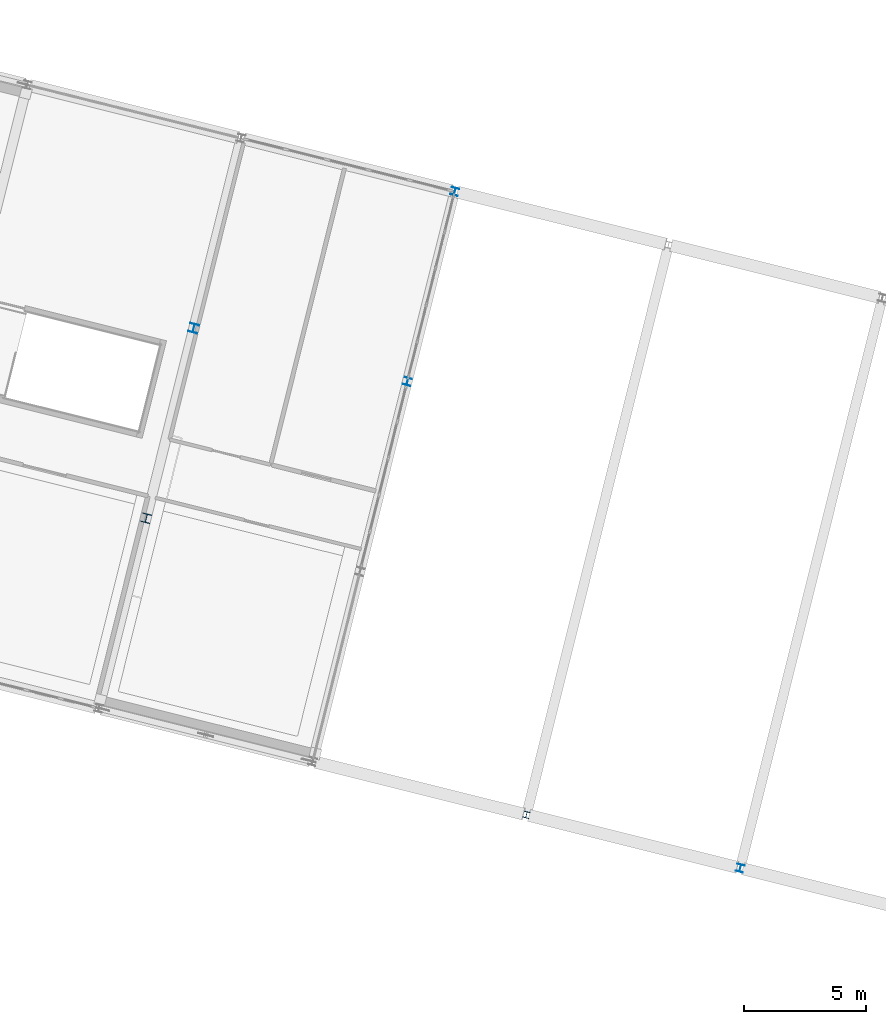
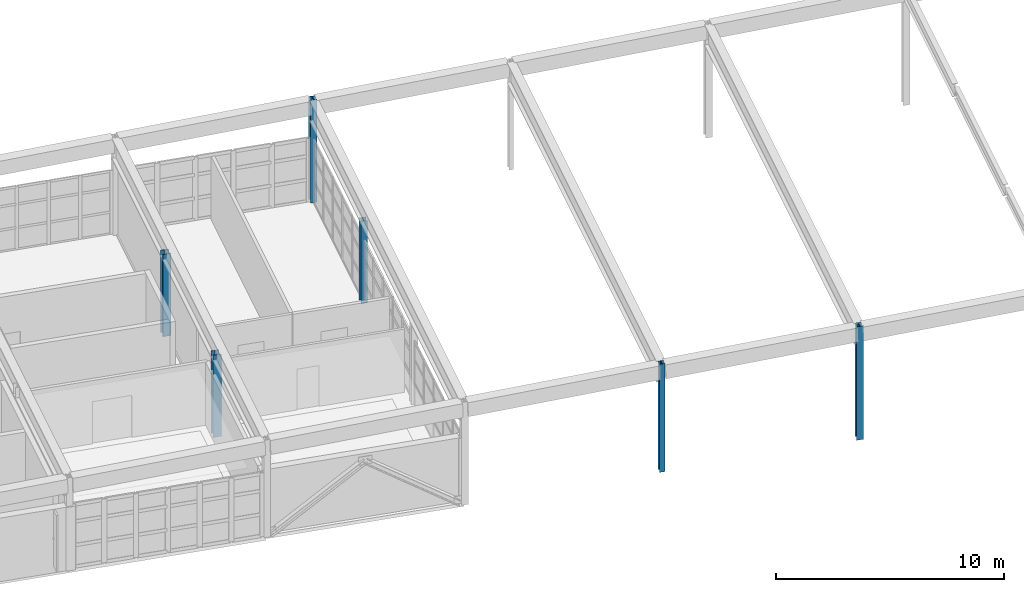
# One storey, part 4 of 27: 6 columns.
"""IFC4 building model written with IfcOpenShell, lengths in metres."""

from ifc_helpers import new_model, si_unit, direction, frame, origin, origin_2d, place, context, subcontext, project, spatial, i_section, extrude, material, material_profile, profile_set, type_object, element, save


model = new_model("IFC4")

# Units and contexts
model_context = context("Model", 3, precision=1e-05, world=origin(), true_north=direction((0.0, 1.0)))
body_context = subcontext(model_context, "Body", "Model", "MODEL_VIEW")
ifc_project = project(units=[si_unit("LENGTHUNIT", "METRE"), si_unit("AREAUNIT", "SQUARE_METRE"), si_unit("VOLUMEUNIT", "CUBIC_METRE"), si_unit("PLANEANGLEUNIT", "RADIAN"), si_unit("MASSUNIT", "GRAM", prefix="KILO")], contexts=[model_context])

# Site, building, storey
site_placement = place(None, origin())
site = spatial("IfcSite", under=ifc_project, at=site_placement, CompositionType="ELEMENT")
building_placement = place(site_placement, origin())
building = spatial("IfcBuilding", under=site, at=building_placement, Name="Vireo Bluff Cable Station", CompositionType="ELEMENT")
storey_placement = place(building_placement, frame((0.0, 0.0, 19.199951171875)))
storey = spatial("IfcBuildingStorey", under=building, at=storey_placement, Name="L04", CompositionType="ELEMENT", Elevation=19.199951171875)

# Columns
ifc_material = material(Name="Steel ASTM A992 Gr. 50", Category="steel")
ifc_material_profile_1 = material_profile(ifc_material, i_section(OverallWidth=0.37109375, OverallDepth=0.363037109375, WebThickness=0.01318359375, FlangeThickness=0.021728515625, FilletRadius=0.014892578125, at=origin_2d()), Name="W14X109")
ifc_profile_set_1 = profile_set([ifc_material_profile_1], Name="Steel ASTM A992 Gr. 50")
column_type_1 = type_object("IfcColumnType", Name="COL-W14X109", PredefinedType="COLUMN", material=ifc_profile_set_1)
column_1_placement = place(storey_placement, frame((73.400634765625, 41.40771484375, 0.0), z_axis=(0.0, 0.0, 1.0), x_axis=(0.970295726276, -0.2419218956, 0.0)))
element("IfcColumn", 1, at=column_1_placement, inside=storey, type_object=column_type_1, Name="V1 L04 column 50", PredefinedType="COLUMN", context=body_context, shape_type="SweptSolid", body=[
    extrude(i_section(OverallWidth=0.37109375, OverallDepth=0.363037109375, WebThickness=0.01318359375, FlangeThickness=0.021728515625, FilletRadius=0.014892578125, at=origin_2d()), origin(), (0.0, 0.0, 1.0), 4.400146484375),
])
ifc_material_profile_2 = material_profile(ifc_material, i_section(OverallWidth=0.367919921875, OverallDepth=0.35595703125, WebThickness=0.01123046875, FlangeThickness=0.01806640625, FilletRadius=0.014892578125, at=origin_2d()), Name="W14X90")
ifc_profile_set_2 = profile_set([ifc_material_profile_2], Name="Steel ASTM A992 Gr. 50")
column_type_2 = type_object("IfcColumnType", Name="COL-W14X90", PredefinedType="COLUMN", material=ifc_profile_set_2)
column_2_placement = place(storey_placement, frame((75.336181640625, 49.170166015625, 0.0), z_axis=(0.0, 0.0, 1.0), x_axis=(0.970295726276, -0.2419218956, 0.0)))
element("IfcColumn", 2, at=column_2_placement, inside=storey, type_object=column_type_2, Name="V1 L04 column 55", PredefinedType="COLUMN", context=body_context, shape_type="SweptSolid", body=[
    extrude(i_section(OverallWidth=0.367919921875, OverallDepth=0.35595703125, WebThickness=0.01123046875, FlangeThickness=0.01806640625, FilletRadius=0.014892578125, at=origin_2d()), origin(), (0.0, 0.0, 1.0), 4.400146484375),
])
ifc_material_profile_3 = material_profile(ifc_material, i_section(OverallWidth=0.304931640625, OverallDepth=0.306884765625, WebThickness=0.010009765625, FlangeThickness=0.015380859375, FilletRadius=0.012939453125, at=origin_2d()), Name="W12X65")
ifc_profile_set_3 = profile_set([ifc_material_profile_3], Name="Steel ASTM A992 Gr. 50")
column_type_3 = type_object("IfcColumnType", Name="ECOL-W12X65", PredefinedType="COLUMN", material=ifc_profile_set_3)
column_3_placement = place(storey_placement, frame((84.06884765625, 46.992919921875, 0.0), z_axis=(0.0, 0.0, 1.0), x_axis=(0.970295726276, -0.2419218956, 0.0)))
element("IfcColumn", 3, at=column_3_placement, inside=storey, type_object=column_type_3, Name="V1 L04 column 75", PredefinedType="COLUMN", context=body_context, shape_type="SweptSolid", body=[
    extrude(i_section(OverallWidth=0.304931640625, OverallDepth=0.306884765625, WebThickness=0.010009765625, FlangeThickness=0.015380859375, FilletRadius=0.012939453125, at=origin_2d()), origin(), (0.0, 0.0, 1.0), 4.400146484375),
])
column_4_placement = place(storey_placement, frame((86.004150390625, 54.755126953125, 0.0), z_axis=(0.0, 0.0, 1.0), x_axis=(0.970295726276, -0.2419218956, 0.0)))
element("IfcColumn", 4, at=column_4_placement, inside=storey, type_object=column_type_3, Name="V1 L04 column 80", PredefinedType="COLUMN", context=body_context, shape_type="SweptSolid", body=[
    extrude(i_section(OverallWidth=0.304931640625, OverallDepth=0.306884765625, WebThickness=0.010009765625, FlangeThickness=0.015380859375, FilletRadius=0.012939453125, at=origin_2d()), origin(), (0.0, 0.0, 1.0), 5.4970703125),
])
column_5_placement = place(storey_placement, frame((97.663330078125, 27.113525390625, 0.0), z_axis=(0.0, 0.0, 1.0), x_axis=(0.970295726276, -0.2419218956, 0.0)))
element("IfcColumn", 5, at=column_5_placement, inside=storey, type_object=column_type_3, Name="V1 L04 column 101", PredefinedType="COLUMN", context=body_context, shape_type="SweptSolid", body=[
    extrude(i_section(OverallWidth=0.304931640625, OverallDepth=0.306884765625, WebThickness=0.010009765625, FlangeThickness=0.015380859375, FilletRadius=0.012939453125, at=origin_2d()), origin(), (0.0, 0.0, 1.0), 6.068603515625),
])
ifc_material_profile_4 = material_profile(ifc_material, i_section(OverallWidth=0.2548828125, OverallDepth=0.256103515625, WebThickness=0.009521484375, FlangeThickness=0.015625, FilletRadius=0.009033203125, at=origin_2d()), Name="W10X54")
ifc_profile_set_4 = profile_set([ifc_material_profile_4], Name="Steel ASTM A992 Gr. 50")
column_type_4 = type_object("IfcColumnType", Name="PIL-W10X54", PredefinedType="PILASTER", material=ifc_profile_set_4)
column_6_placement = place(storey_placement, frame((88.9306640625, 29.290771484375, 0.0), z_axis=(0.0, 0.0, 1.0), x_axis=(0.970295726276, -0.2419218956, 0.0)))
element("IfcColumn", 6, at=column_6_placement, inside=storey, type_object=column_type_4, Name="V1 L04 column 85", PredefinedType="PILASTER", context=body_context, shape_type="SweptSolid", body=[
    extrude(i_section(OverallWidth=0.2548828125, OverallDepth=0.256103515625, WebThickness=0.009521484375, FlangeThickness=0.015625, FilletRadius=0.009033203125, at=origin_2d()), origin(), (0.0, 0.0, 1.0), 5.782958984375),
])

save(model, "model.ifc")
